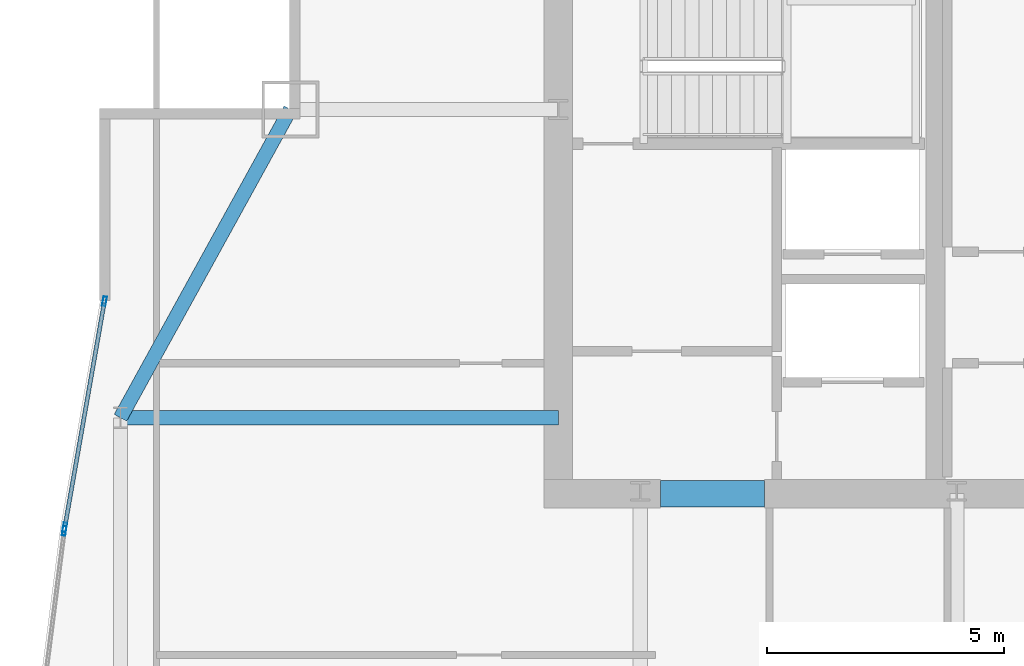
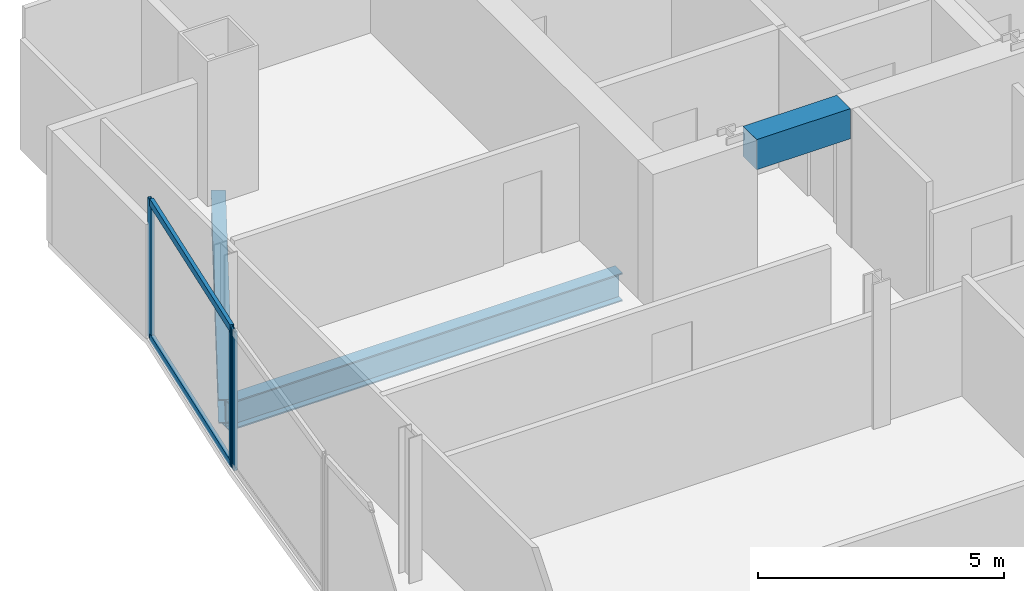
# One storey, part 20 of 30: 5 members, 3 beams, 2 elements without a shape of their own.
"""IFC4 building model written with IfcOpenShell, lengths in metres."""

from ifc_helpers import new_model, si_unit, direction, frame, origin, origin_2d, place, context, subcontext, project, spatial, rectangle, hollow_rectangle, i_section, extrude, material, material_profile, profile_set, type_object, element, aggregate, save


model = new_model("IFC4")

# Units and contexts
model_context = context("Model", 3, precision=1e-05, world=origin(), true_north=direction((0.0, 1.0)))
body_context = subcontext(model_context, "Body", "Model", "MODEL_VIEW")
ifc_project = project(units=[si_unit("LENGTHUNIT", "METRE"), si_unit("AREAUNIT", "SQUARE_METRE"), si_unit("VOLUMEUNIT", "CUBIC_METRE"), si_unit("PLANEANGLEUNIT", "RADIAN"), si_unit("MASSUNIT", "GRAM", prefix="KILO")], contexts=[model_context])

# Site, building, storey
site_placement = place(None, origin())
site = spatial("IfcSite", under=ifc_project, at=site_placement, CompositionType="ELEMENT")
building_placement = place(site_placement, origin())
building = spatial("IfcBuilding", under=site, at=building_placement, Name="Khoronbel Lancet Exchange", CompositionType="ELEMENT")
storey_placement = place(building_placement, frame((0.0, 0.0, 203.0)))
storey = spatial("IfcBuildingStorey", under=building, at=storey_placement, Name="L51", CompositionType="ELEMENT", Elevation=203.0)

# Beams
ifc_material_1 = material(Name="Steel S355", Category="steel")
ifc_material_profile_1 = material_profile(ifc_material_1, i_section(OverallWidth=0.300048828125, OverallDepth=0.699951171875, WebThickness=0.01708984375, FlangeThickness=0.031982421875, at=origin_2d()), Name="HEB 700")
ifc_profile_set_1 = profile_set([ifc_material_profile_1], Name="Steel S355")
beam_type_1 = type_object("IfcBeamType", Name="BM-BG3", PredefinedType="BEAM", material=ifc_profile_set_1)
beam_1_placement = place(storey_placement, frame((7.27001953125, 43.199951171875, -0.510009765625), z_axis=(1.0, 0.0, 0.0), x_axis=(0.0, 1.0, 0.0)))
element("IfcBeam", 1, at=beam_1_placement, inside=storey, type_object=beam_type_1, Name="Level L51 west lens tie girder LG3W", PredefinedType="BEAM", context=body_context, shape_type="SweptSolid", body=[
    extrude(i_section(OverallWidth=0.300048828125, OverallDepth=0.699951171875, WebThickness=0.01708984375, FlangeThickness=0.031982421875, at=origin_2d()), origin(), (0.0, 0.0, 1.0), 9.22998046875),
])
ifc_material_2 = material(Name="Concrete C60/75", Category="concrete")
ifc_material_profile_2 = material_profile(ifc_material_2, rectangle(XDim=0.550048828125, YDim=0.75, at=origin_2d()), Name="RC 550x750")
ifc_profile_set_2 = profile_set([ifc_material_profile_2], Name="Concrete C60/75")
beam_type_2 = type_object("IfcBeamType", Name="BM-BL2", PredefinedType="LINTEL", material=ifc_profile_set_2)
beam_2_placement = place(storey_placement, frame((18.64990234375, 41.60009765625, 3.06494140625), z_axis=(1.0, 0.0, 0.0), x_axis=(0.0, 1.0, 0.0)))
element("IfcBeam", 2, at=beam_2_placement, inside=storey, type_object=beam_type_2, Name="Level L51 rear core coupling lintel L1", PredefinedType="LINTEL", context=body_context, shape_type="SweptSolid", body=[
    extrude(rectangle(XDim=0.550048828125, YDim=0.75, at=origin_2d()), origin(), (0.0, 0.0, 1.0), 2.2001953125),
])
ifc_material_profile_3 = material_profile(ifc_material_1, i_section(OverallWidth=0.300048828125, OverallDepth=0.60009765625, WebThickness=0.015380859375, FlangeThickness=0.030029296875, at=origin_2d()), Name="HEB 600")
ifc_profile_set_3 = profile_set([ifc_material_profile_3], Name="Steel S355")
beam_type_3 = type_object("IfcBeamType", Name="BM-BSP2", PredefinedType="SPANDREL", material=ifc_profile_set_3)
beam_3_placement = place(storey_placement, frame((10.85009765625, 49.699951171875, -0.4599609375), z_axis=(-0.482444051088, -0.875926787791, 0.0), x_axis=(0.875926787791, -0.482444051088, 0.0)))
element("IfcBeam", 3, at=beam_3_placement, inside=storey, type_object=beam_type_3, Name="Level L51 perimeter spandrel beam SP16", PredefinedType="SPANDREL", context=body_context, shape_type="SweptSolid", body=[
    extrude(i_section(OverallWidth=0.300048828125, OverallDepth=0.60009765625, WebThickness=0.015380859375, FlangeThickness=0.030029296875, at=origin_2d()), origin(), (0.0, 0.0, 1.0), 7.420654296875),
])

# Curtain wall, member
ifc_material_3 = material(Name="Low-E Solar Control Insulating Glass", Category="glass")
curtain_wall_type = type_object("IfcCurtainWallType", Name="CW-4", PredefinedType="NOTDEFINED", material=ifc_material_3)
curtain_wall_1_placement = place(storey_placement, origin())
curtain_wall_1 = element("IfcCurtainWall", 4, at=curtain_wall_1_placement, inside=storey, type_object=curtain_wall_type, Name="Unitised curtain wall CW-L51-E08", PredefinedType="NOTDEFINED")
ifc_material_4 = material(Name="Bronze-Anodised Aluminium 6063-T6", Category="aluminium")
ifc_material_profile_4 = material_profile(ifc_material_4, hollow_rectangle(XDim=0.074951171875, YDim=0.199951171875, WallThickness=0.0048828125, at=origin_2d()), Name="ALU MULLION 75x200")
ifc_profile_set_4 = profile_set([ifc_material_profile_4], Name="Bronze-Anodised Aluminium 6063-T6")
member_type_1 = type_object("IfcMemberType", Name="MEM-CWM2", PredefinedType="MULLION", material=ifc_profile_set_4)
member_1_placement = place(storey_placement, frame((6.0859375, 40.81591796875, 0.0), z_axis=(0.0, 0.0, 1.0), x_axis=(-0.991846611095, 0.127437435866, 0.0)))
member_1 = element("IfcMember", 5, at=member_1_placement, type_object=member_type_1, Name="CW4 mullion 2", PredefinedType="MULLION", context=body_context, shape_type="SweptSolid", body=[
    extrude(hollow_rectangle(XDim=0.074951171875, YDim=0.199951171875, WallThickness=0.0048828125, at=origin_2d()), origin(), (0.0, 0.0, 1.0), 3.43994140625),
])
aggregate(curtain_wall_1, [member_1])

# Curtain wall, members
curtain_wall_2_placement = place(storey_placement, origin())
curtain_wall_2 = element("IfcCurtainWall", 6, at=curtain_wall_2_placement, inside=storey, type_object=curtain_wall_type, Name="Unitised curtain wall CW-L51-E09", PredefinedType="NOTDEFINED")
member_2_placement = place(storey_placement, frame((6.09716796875, 40.89013671875, 0.0), z_axis=(0.0, 0.0, 1.0), x_axis=(-0.984944805954, 0.172869110092, 0.0)))
member_2 = element("IfcMember", 7, at=member_2_placement, type_object=member_type_1, Name="CW4 mullion 1", PredefinedType="MULLION", context=body_context, shape_type="SweptSolid", body=[
    extrude(hollow_rectangle(XDim=0.074951171875, YDim=0.199951171875, WallThickness=0.0048828125, at=origin_2d()), origin(), (0.0, 0.0, 1.0), 3.43994140625),
])
member_3_placement = place(storey_placement, frame((6.93359375, 45.6552734375, 0.0), z_axis=(0.0, 0.0, 1.0), x_axis=(-0.984944805954, 0.172869110092, 0.0)))
member_3 = element("IfcMember", 8, at=member_3_placement, type_object=member_type_1, Name="CW4 mullion 2", PredefinedType="MULLION", context=body_context, shape_type="SweptSolid", body=[
    extrude(hollow_rectangle(XDim=0.074951171875, YDim=0.199951171875, WallThickness=0.0048828125, at=origin_2d()), origin(), (0.0, 0.0, 1.0), 3.43994140625),
])
ifc_material_profile_5 = material_profile(ifc_material_4, hollow_rectangle(XDim=0.0849609375, YDim=0.179931640625, WallThickness=0.0048828125, at=origin_2d()), Name="ALU TRANSOM 85x180")
ifc_profile_set_5 = profile_set([ifc_material_profile_5], Name="Bronze-Anodised Aluminium 6063-T6")
member_type_2 = type_object("IfcMemberType", Name="MEM-CWT1", PredefinedType="USERDEFINED", material=ifc_profile_set_5)
member_4_placement = place(storey_placement, frame((6.103759765625, 40.927001953125, 0.04248046875), z_axis=(0.172837863068, 0.984950289654, 0.0), x_axis=(-0.984950289654, 0.172837863068, 0.0)))
member_4 = element("IfcMember", 9, at=member_4_placement, type_object=member_type_2, Name="CW4 transom 1.1", ObjectType="TRANSOM", PredefinedType="USERDEFINED", context=body_context, shape_type="SweptSolid", body=[
    extrude(hollow_rectangle(XDim=0.0849609375, YDim=0.179931640625, WallThickness=0.0048828125, at=origin_2d()), origin(), (0.0, 0.0, 1.0), 4.76318359375),
])
member_5_placement = place(storey_placement, frame((6.103759765625, 40.927001953125, 3.3974609375), z_axis=(0.172837863068, 0.984950289654, 0.0), x_axis=(-0.984950289654, 0.172837863068, 0.0)))
member_5 = element("IfcMember", 10, at=member_5_placement, type_object=member_type_2, Name="CW4 transom 1.2", ObjectType="TRANSOM", PredefinedType="USERDEFINED", context=body_context, shape_type="SweptSolid", body=[
    extrude(hollow_rectangle(XDim=0.0849609375, YDim=0.179931640625, WallThickness=0.0048828125, at=origin_2d()), origin(), (0.0, 0.0, 1.0), 4.76318359375),
])
aggregate(curtain_wall_2, [member_2, member_3, member_4, member_5])

save(model, "model.ifc")
